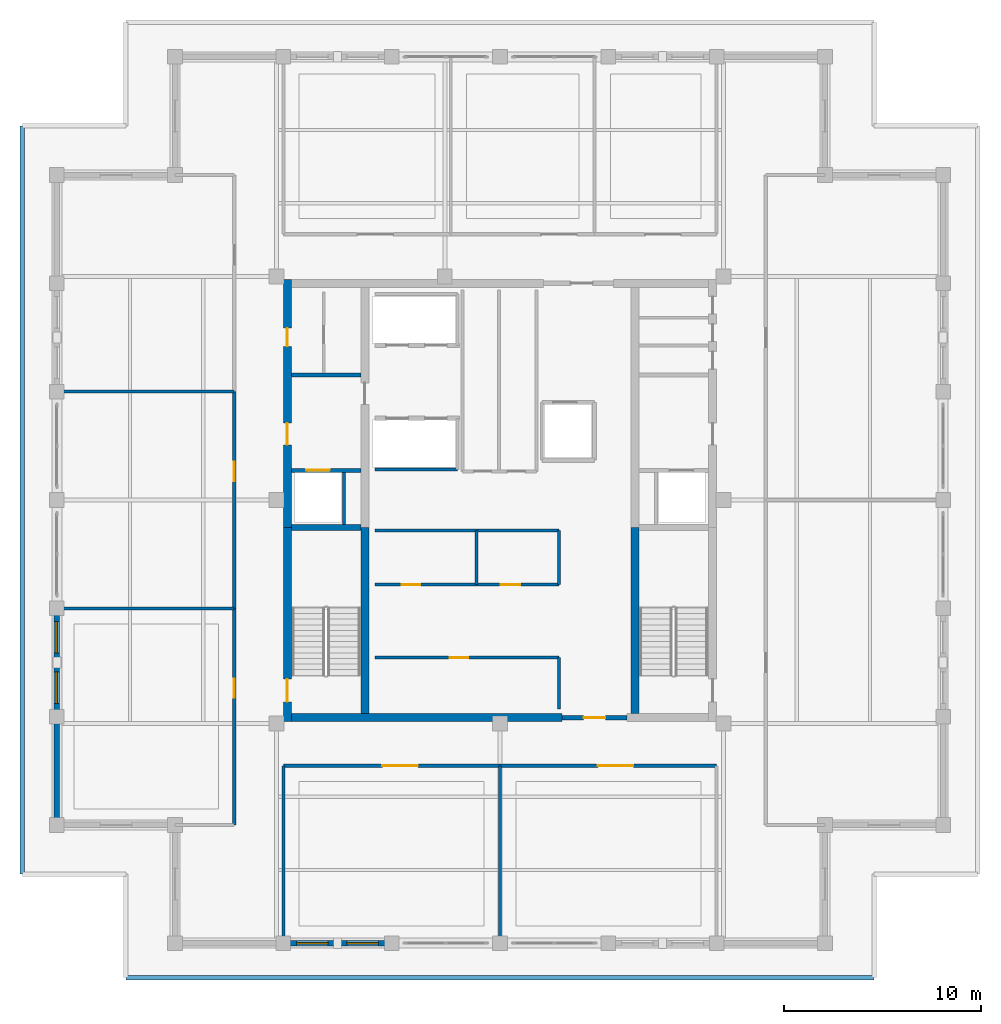
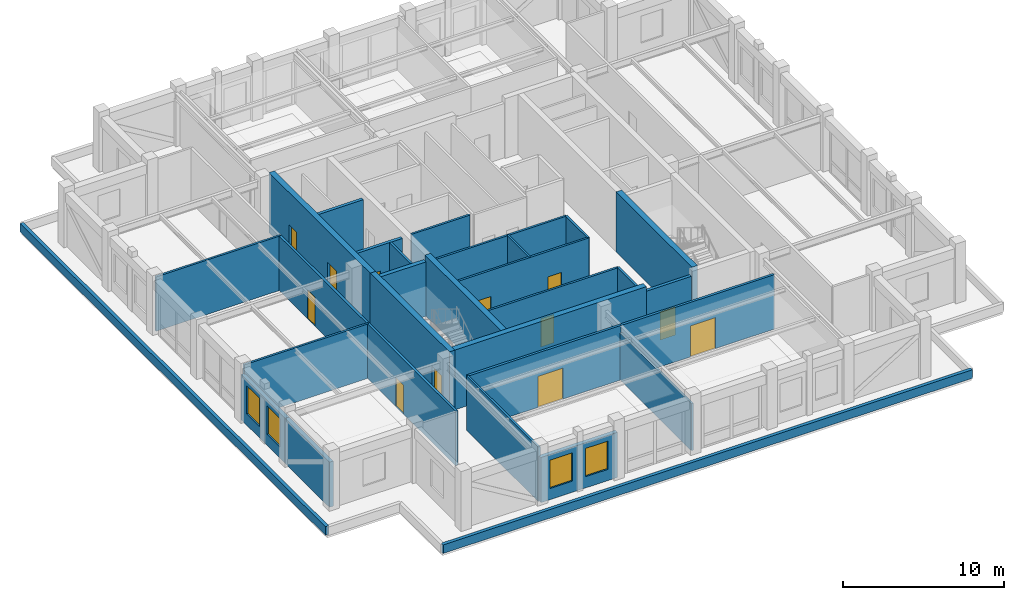
# One storey, part 7 of 13: 30 walls, 12 doors, 4 windows, 16 openings.
"""IFC4 building model written with IfcOpenShell, lengths in metres."""

from ifc_helpers import new_model, si_unit, direction, frame, frame_2d, origin, place, context, subcontext, project, spatial, rectangle, extrude, material, layer, layer_set, type_object, element, fill, save


model = new_model("IFC4")

# Units and contexts
model_context = context("Model", 3, precision=1e-05, world=origin(), true_north=direction((0.0, 1.0)))
body_context = subcontext(model_context, "Body", "Model", "MODEL_VIEW")
ifc_project = project(units=[si_unit("LENGTHUNIT", "METRE"), si_unit("AREAUNIT", "SQUARE_METRE"), si_unit("VOLUMEUNIT", "CUBIC_METRE"), si_unit("PLANEANGLEUNIT", "RADIAN"), si_unit("MASSUNIT", "GRAM", prefix="KILO")], contexts=[model_context])

# Site, building, storey
site_placement = place(None, origin())
site = spatial("IfcSite", under=ifc_project, at=site_placement, CompositionType="ELEMENT")
building_placement = place(site_placement, origin())
building = spatial("IfcBuilding", under=site, at=building_placement, Name="Nhamokura Convention Tower", CompositionType="ELEMENT")
storey_placement = place(building_placement, frame((0.0, 0.0, 257.60009765625)))
storey = spatial("IfcBuildingStorey", under=building, at=storey_placement, Name="L63", CompositionType="ELEMENT", Elevation=257.60009765625)

# Wall, openings, windows
ifc_material_1 = material(Name="Bronze-pigmented precast concrete C45/55", Category="concrete")
ifc_layer_1 = layer(ifc_material_1, 0.280029296875)
ifc_layer_set_1 = layer_set([ifc_layer_1], Name="BronzePrecastSpandrel_280")
wall_type_1 = type_object("IfcWallType", Name="BronzePrecastSpandrel_280", PredefinedType="USERDEFINED", material=ifc_layer_set_1)
wall_1_placement = place(storey_placement, frame((26.5, 9.5, 0.0), z_axis=(0.0, 0.0, 1.0), x_axis=(-1.0, 0.0, 0.0)))
wall_1 = element("IfcWall", 1, at=wall_1_placement, inside=storey, type_object=wall_type_1, Name="L63 Masonry-Frame Wall SOUTH 1", ObjectType="SPANDREL_WALL", PredefinedType="USERDEFINED", context=body_context, shape_type="SweptSolid", body=[
    extrude(rectangle(XDim=5.5, YDim=0.280029296875, at=frame_2d((2.75, 0.0))), origin(), (0.0, 0.0, 1.0), 3.429931640625),
])
opening_1_placement = place(wall_1_placement, frame((0.675048828125, 0.0, 0.85009765625)))
opening_1 = element("IfcOpeningElement", 2, at=opening_1_placement, cuts=wall_1, Name="Opening W-11", PredefinedType="OPENING", context=body_context, shape_type="SweptSolid", body=[
    extrude(rectangle(XDim=1.60009765625, YDim=2.14990234375, at=frame_2d((0.800048828125, 1.074951171875))), frame((0.0, 0.14990234375, 0.0), z_axis=(0.0, -1.0, 0.0), x_axis=(1.0, 0.0, 0.0)), (0.0, 0.0, 1.0), 0.300048828125),
])
opening_2_placement = place(wall_1_placement, frame((3.22509765625, 0.0, 0.85009765625)))
opening_2 = element("IfcOpeningElement", 3, at=opening_2_placement, cuts=wall_1, Name="Opening W-11", PredefinedType="OPENING", context=body_context, shape_type="SweptSolid", body=[
    extrude(rectangle(XDim=1.60009765625, YDim=2.14990234375, at=frame_2d((0.800048828125, 1.074951171875))), frame((0.0, 0.14990234375, 0.0), z_axis=(0.0, -1.0, 0.0), x_axis=(1.0, 0.0, 0.0)), (0.0, 0.0, 1.0), 0.300048828125),
])
ifc_material_2 = material(Name="Solar-control bronze low-E double glass", Category="glass")
window_type = type_object("IfcWindowType", Name="NotchCornerWindow_1600", PartitioningType="SINGLE_PANEL", PredefinedType="WINDOW", material=ifc_material_2)
window_1_placement = place(opening_1_placement, origin())
window_1 = element("IfcWindow", 4, at=window_1_placement, inside=storey, type_object=window_type, Name="L63 Facade Window SOUTH 1-1", OverallHeight=2.14990234375, OverallWidth=1.60009765625, PartitioningType="SINGLE_PANEL", PredefinedType="WINDOW", context=body_context, shape_type="SweptSolid", body=[
    extrude(rectangle(XDim=1.60009765625, YDim=2.14990234375, at=frame_2d((0.800048828125, 1.074951171875))), frame((0.0, 0.030029296875, 0.0), z_axis=(0.0, -1.0, 0.0), x_axis=(1.0, 0.0, 0.0)), (0.0, 0.0, 1.0), 0.06005859375),
])
fill(opening_1, window_1)
window_2_placement = place(opening_2_placement, origin())
window_2 = element("IfcWindow", 5, at=window_2_placement, inside=storey, type_object=window_type, Name="L63 Facade Window SOUTH 1-2", OverallHeight=2.14990234375, OverallWidth=1.60009765625, PartitioningType="SINGLE_PANEL", PredefinedType="WINDOW", context=body_context, shape_type="SweptSolid", body=[
    extrude(rectangle(XDim=1.60009765625, YDim=2.14990234375, at=frame_2d((0.800048828125, 1.074951171875))), frame((0.0, 0.030029296875, 0.0), z_axis=(0.0, -1.0, 0.0), x_axis=(1.0, 0.0, 0.0)), (0.0, 0.0, 1.0), 0.06005859375),
])
fill(opening_2, window_2)

# Wall
wall_2_placement = place(storey_placement, frame((9.5, 15.5, 0.0), z_axis=(0.0, 0.0, 1.0), x_axis=(0.0, 1.0, 0.0)))
element("IfcWall", 6, at=wall_2_placement, inside=storey, type_object=wall_type_1, Name="L63 Braced-Bay Precast Wall WEST 0", ObjectType="SPANDREL_WALL", PredefinedType="USERDEFINED", context=body_context, shape_type="SweptSolid", body=[
    extrude(rectangle(XDim=5.5, YDim=0.280029296875, at=frame_2d((2.75, 0.0))), origin(), (0.0, 0.0, 1.0), 3.429931640625),
])

# Wall, openings, windows
wall_3_placement = place(storey_placement, frame((9.5, 21.0, 0.0), z_axis=(0.0, 0.0, 1.0), x_axis=(0.0, 1.0, 0.0)))
wall_3 = element("IfcWall", 7, at=wall_3_placement, inside=storey, type_object=wall_type_1, Name="L63 Masonry-Frame Wall WEST 1", ObjectType="SPANDREL_WALL", PredefinedType="USERDEFINED", context=body_context, shape_type="SweptSolid", body=[
    extrude(rectangle(XDim=5.5, YDim=0.280029296875, at=frame_2d((2.75, 0.0))), origin(), (0.0, 0.0, 1.0), 3.429931640625),
])
opening_3_placement = place(wall_3_placement, frame((0.675048828125, 0.0, 0.85009765625)))
opening_3 = element("IfcOpeningElement", 8, at=opening_3_placement, cuts=wall_3, Name="Opening W-11", PredefinedType="OPENING", context=body_context, shape_type="SweptSolid", body=[
    extrude(rectangle(XDim=1.60009765625, YDim=2.14990234375, at=frame_2d((0.800048828125, 1.074951171875))), frame((0.0, 0.14990234375, 0.0), z_axis=(0.0, -1.0, 0.0), x_axis=(1.0, 0.0, 0.0)), (0.0, 0.0, 1.0), 0.300048828125),
])
opening_4_placement = place(wall_3_placement, frame((3.22509765625, 0.0, 0.85009765625)))
opening_4 = element("IfcOpeningElement", 9, at=opening_4_placement, cuts=wall_3, Name="Opening W-11", PredefinedType="OPENING", context=body_context, shape_type="SweptSolid", body=[
    extrude(rectangle(XDim=1.60009765625, YDim=2.14990234375, at=frame_2d((0.800048828125, 1.074951171875))), frame((0.0, 0.14990234375, 0.0), z_axis=(0.0, -1.0, 0.0), x_axis=(1.0, 0.0, 0.0)), (0.0, 0.0, 1.0), 0.300048828125),
])
window_3_placement = place(opening_3_placement, origin())
window_3 = element("IfcWindow", 10, at=window_3_placement, inside=storey, type_object=window_type, Name="L63 Facade Window WEST 1-1", OverallHeight=2.14990234375, OverallWidth=1.60009765625, PartitioningType="SINGLE_PANEL", PredefinedType="WINDOW", context=body_context, shape_type="SweptSolid", body=[
    extrude(rectangle(XDim=1.60009765625, YDim=2.14990234375, at=frame_2d((0.800048828125, 1.074951171875))), frame((0.0, 0.030029296875, 0.0), z_axis=(0.0, -1.0, 0.0), x_axis=(1.0, 0.0, 0.0)), (0.0, 0.0, 1.0), 0.06005859375),
])
fill(opening_3, window_3)
window_4_placement = place(opening_4_placement, origin())
window_4 = element("IfcWindow", 11, at=window_4_placement, inside=storey, type_object=window_type, Name="L63 Facade Window WEST 1-2", OverallHeight=2.14990234375, OverallWidth=1.60009765625, PartitioningType="SINGLE_PANEL", PredefinedType="WINDOW", context=body_context, shape_type="SweptSolid", body=[
    extrude(rectangle(XDim=1.60009765625, YDim=2.14990234375, at=frame_2d((0.800048828125, 1.074951171875))), frame((0.0, 0.030029296875, 0.0), z_axis=(0.0, -1.0, 0.0), x_axis=(1.0, 0.0, 0.0)), (0.0, 0.0, 1.0), 0.06005859375),
])
fill(opening_4, window_4)

# Wall, opening, door
ifc_material_3 = material(Name="Concrete C50/60", Category="concrete")
ifc_layer_2 = layer(ifc_material_3, 0.39990234375)
ifc_layer_set_2 = layer_set([ifc_layer_2], Name="CoreShearWall_400")
wall_type_2 = type_object("IfcWallType", Name="CoreShearWall_400", PredefinedType="SHEAR", material=ifc_layer_set_2)
wall_4_placement = place(storey_placement, frame((21.2099609375, 20.75, 0.0), z_axis=(0.0, 0.0, 1.0), x_axis=(0.0, 1.0, 0.0)))
wall_4 = element("IfcWall", 12, at=wall_4_placement, inside=storey, type_object=wall_type_2, Name="L63 Core Shear Wall CW-WS", PredefinedType="SHEAR", context=body_context, shape_type="SweptSolid", body=[
    extrude(rectangle(XDim=9.85009765625, YDim=0.39990234375, at=frame_2d((4.925048828125, 0.0))), origin(), (0.0, 0.0, 1.0), 4.5498046875),
])
opening_5_placement = place(wall_4_placement, frame((1.0, 0.0, 0.0)))
opening_5 = element("IfcOpeningElement", 13, at=opening_5_placement, cuts=wall_4, Name="Opening D-04", PredefinedType="OPENING", context=body_context, shape_type="SweptSolid", body=[
    extrude(rectangle(XDim=1.14990234375, YDim=2.14990234375, at=frame_2d((0.574951171875, 1.074951171875))), frame((0.0, 0.2099609375, 0.0), z_axis=(0.0, -1.0, 0.0), x_axis=(1.0, 0.0, 0.0)), (0.0, 0.0, 1.0), 0.419921875),
])
ifc_material_4 = material(Name="Fire-rated steel door", Category="steel")
door_type_1 = type_object("IfcDoorType", Name="StairSmokeDoor_1150", OperationType="NOTDEFINED", PredefinedType="DOOR", material=ifc_material_4)
door_1_placement = place(opening_5_placement, origin())
door_1 = element("IfcDoor", 14, at=door_1_placement, inside=storey, type_object=door_type_1, Name="L63 Core Door INT-L63-D-ST01", OperationType="SINGLE_SWING_LEFT", OverallHeight=2.14990234375, OverallWidth=1.14990234375, PredefinedType="DOOR", context=body_context, shape_type="SweptSolid", body=[
    extrude(rectangle(XDim=1.14990234375, YDim=2.14990234375, at=frame_2d((0.574951171875, 1.074951171875))), frame((0.0, 0.02490234375, 0.0), z_axis=(0.0, -1.0, 0.0), x_axis=(1.0, 0.0, 0.0)), (0.0, 0.0, 1.0), 0.050048828125),
])
fill(opening_5, door_1)

# Wall, openings, doors
wall_5_placement = place(storey_placement, frame((21.2099609375, 30.60009765625, 0.0), z_axis=(0.0, 0.0, 1.0), x_axis=(0.0, 1.0, 0.0)))
wall_5 = element("IfcWall", 15, at=wall_5_placement, inside=storey, type_object=wall_type_2, Name="L63 Core Shear Wall CW-WN", PredefinedType="SHEAR", context=body_context, shape_type="SweptSolid", body=[
    extrude(rectangle(XDim=12.599853515625, YDim=0.39990234375, at=frame_2d((6.2998046875, 0.0))), origin(), (0.0, 0.0, 1.0), 4.5498046875),
])
opening_6_placement = place(wall_5_placement, frame((4.199951171875, 0.0, 0.0)))
opening_6 = element("IfcOpeningElement", 16, at=opening_6_placement, cuts=wall_5, Name="Opening D-05", PredefinedType="OPENING", context=body_context, shape_type="SweptSolid", body=[
    extrude(rectangle(XDim=1.10009765625, YDim=2.14990234375, at=frame_2d((0.550048828125, 1.074951171875))), frame((0.0, 0.2099609375, 0.0), z_axis=(0.0, -1.0, 0.0), x_axis=(1.0, 0.0, 0.0)), (0.0, 0.0, 1.0), 0.419921875),
])
opening_7_placement = place(wall_5_placement, frame((9.199951171875, 0.0, 0.0)))
opening_7 = element("IfcOpeningElement", 17, at=opening_7_placement, cuts=wall_5, Name="Opening D-10", PredefinedType="OPENING", context=body_context, shape_type="SweptSolid", body=[
    extrude(rectangle(XDim=0.919921875, YDim=2.10009765625, at=frame_2d((0.4599609375, 1.050048828125))), frame((0.0, 0.2099609375, 0.0), z_axis=(0.0, -1.0, 0.0), x_axis=(1.0, 0.0, 0.0)), (0.0, 0.0, 1.0), 0.419921875),
])
ifc_material_5 = material(Name="Solid oak hardwood", Category="wood")
door_type_2 = type_object("IfcDoorType", Name="AccessibleWCDoor_920", OperationType="NOTDEFINED", PredefinedType="DOOR", material=ifc_material_5)
door_2_placement = place(opening_7_placement, origin())
door_2 = element("IfcDoor", 18, at=door_2_placement, inside=storey, type_object=door_type_2, Name="L63 Core Door INT-L63-D-AWCW", OperationType="SINGLE_SWING_RIGHT", OverallHeight=2.10009765625, OverallWidth=0.919921875, PredefinedType="DOOR", context=body_context, shape_type="SweptSolid", body=[
    extrude(rectangle(XDim=0.919921875, YDim=2.10009765625, at=frame_2d((0.4599609375, 1.050048828125))), frame((0.0, 0.02490234375, 0.0), z_axis=(0.0, -1.0, 0.0), x_axis=(1.0, 0.0, 0.0)), (0.0, 0.0, 1.0), 0.050048828125),
])
fill(opening_7, door_2)
ifc_material_6 = material(Name="Fire-rated steel door", Category="steel")
door_type_3 = type_object("IfcDoorType", Name="FireLobbyDoor_1100", OperationType="NOTDEFINED", PredefinedType="DOOR", material=ifc_material_6)
door_3_placement = place(opening_6_placement, origin())
door_3 = element("IfcDoor", 19, at=door_3_placement, inside=storey, type_object=door_type_3, Name="L63 Core Door INT-L63-D-FFLW", OperationType="SINGLE_SWING_RIGHT", OverallHeight=2.14990234375, OverallWidth=1.10009765625, PredefinedType="DOOR", context=body_context, shape_type="SweptSolid", body=[
    extrude(rectangle(XDim=1.10009765625, YDim=2.14990234375, at=frame_2d((0.550048828125, 1.074951171875))), frame((0.0, 0.02490234375, 0.0), z_axis=(0.0, -1.0, 0.0), x_axis=(1.0, 0.0, 0.0)), (0.0, 0.0, 1.0), 0.050048828125),
])
fill(opening_6, door_3)

# Walls
wall_6_placement = place(storey_placement, frame((21.409912109375, 20.949951171875, 0.0), z_axis=(0.0, 0.0, 1.0), x_axis=(1.0, 0.0, 0.0)))
element("IfcWall", 20, at=wall_6_placement, inside=storey, type_object=wall_type_2, Name="L63 Core Shear Wall CW-S1", PredefinedType="SHEAR", context=body_context, shape_type="SweptSolid", body=[
    extrude(rectangle(XDim=13.739990234375, YDim=0.39990234375, at=frame_2d((6.8701171875, 0.0))), origin(), (0.0, 0.0, 1.0), 4.5498046875),
])
for number, where, z_axis, x_axis, name in (
    (21, (25.139892578125, 21.14990234375, 0.0), (0.0, 0.0, 1.0), (0.0, 1.0, 0.0), "L63 Core Shear Wall CW-IWS"),
    (22, (38.860107421875, 21.14990234375, 0.0), (0.0, 0.0, 1.0), (0.0, 1.0, 0.0), "L63 Core Shear Wall CW-IES"),
):
    element("IfcWall", number, at=place(storey_placement, frame(where, z_axis=z_axis, x_axis=x_axis)), inside=storey, type_object=wall_type_2, Name=name, PredefinedType="SHEAR", context=body_context, shape_type="SweptSolid", body=[
        extrude(rectangle(XDim=9.4501953125, YDim=0.39990234375, at=frame_2d((4.72509765625, 0.0))), origin(), (0.0, 0.0, 1.0), 4.5498046875),
    ])

# Wall, opening, door
ifc_material_7 = material(Name="Fire-rated gypsum and masonry partition", Category="masonry")
ifc_layer_3 = layer(ifc_material_7, 0.179931640625)
ifc_layer_set_3 = layer_set([ifc_layer_3], Name="CorridorRatedWall_180")
wall_type_3 = type_object("IfcWallType", Name="CorridorRatedWall_180", PredefinedType="STANDARD", material=ifc_layer_set_3)
wall_7_placement = place(storey_placement, frame((21.0, 18.5, 0.0), z_axis=(0.0, 0.0, 1.0), x_axis=(1.0, 0.0, 0.0)))
wall_7 = element("IfcWall", 23, at=wall_7_placement, inside=storey, type_object=wall_type_3, Name="L63 Wall INT-L63-CW-S00", PredefinedType="STANDARD", context=body_context, shape_type="SweptSolid", body=[
    extrude(rectangle(XDim=11.0, YDim=0.179931640625, at=frame_2d((5.5, 0.0))), origin(), (0.0, 0.0, 1.0), 4.1298828125),
])
opening_8_placement = place(wall_7_placement, frame((5.02490234375, 0.0, 0.0)))
opening_8 = element("IfcOpeningElement", 24, at=opening_8_placement, cuts=wall_7, Name="Opening D-03", PredefinedType="OPENING", context=body_context, shape_type="SweptSolid", body=[
    extrude(rectangle(XDim=1.800048828125, YDim=2.35009765625, at=frame_2d((0.89990234375, 1.175048828125))), frame((0.0, 0.099853515625, 0.0), z_axis=(0.0, -1.0, 0.0), x_axis=(1.0, 0.0, 0.0)), (0.0, 0.0, 1.0), 0.199951171875),
])
ifc_material_8 = material(Name="Solid oak hardwood", Category="wood")
door_type_4 = type_object("IfcDoorType", Name="BallroomDoubleDoor_1800", OperationType="DOUBLE_DOOR_SINGLE_SWING", PredefinedType="DOOR", material=ifc_material_8)
door_4_placement = place(opening_8_placement, origin())
door_4 = element("IfcDoor", 25, at=door_4_placement, inside=storey, type_object=door_type_4, Name="L63 Sky Lobby Lounge S01 Door", OperationType="SINGLE_SWING_LEFT", OverallHeight=2.35009765625, OverallWidth=1.800048828125, PredefinedType="DOOR", context=body_context, shape_type="SweptSolid", body=[
    extrude(rectangle(XDim=1.800048828125, YDim=2.35009765625, at=frame_2d((0.89990234375, 1.175048828125))), frame((0.0, 0.02490234375, 0.0), z_axis=(0.0, -1.0, 0.0), x_axis=(1.0, 0.0, 0.0)), (0.0, 0.0, 1.0), 0.050048828125),
])
fill(opening_8, door_4)

wall_8_placement = place(storey_placement, frame((32.0, 18.5, 0.0), z_axis=(0.0, 0.0, 1.0), x_axis=(1.0, 0.0, 0.0)))
wall_8 = element("IfcWall", 26, at=wall_8_placement, inside=storey, type_object=wall_type_3, Name="L63 Wall INT-L63-CW-S01", PredefinedType="STANDARD", context=body_context, shape_type="SweptSolid", body=[
    extrude(rectangle(XDim=11.0, YDim=0.179931640625, at=frame_2d((5.5, 0.0))), origin(), (0.0, 0.0, 1.0), 4.1298828125),
])
opening_9_placement = place(wall_8_placement, frame((4.97509765625, 0.0, 0.0)))
opening_9 = element("IfcOpeningElement", 27, at=opening_9_placement, cuts=wall_8, Name="Opening D-03", PredefinedType="OPENING", context=body_context, shape_type="SweptSolid", body=[
    extrude(rectangle(XDim=1.800048828125, YDim=2.35009765625, at=frame_2d((0.89990234375, 1.175048828125))), frame((0.0, 0.099853515625, 0.0), z_axis=(0.0, -1.0, 0.0), x_axis=(1.0, 0.0, 0.0)), (0.0, 0.0, 1.0), 0.199951171875),
])
door_5_placement = place(opening_9_placement, origin())
door_5 = element("IfcDoor", 28, at=door_5_placement, inside=storey, type_object=door_type_4, Name="L63 Concierge Office S02 Door", OperationType="SINGLE_SWING_RIGHT", OverallHeight=2.35009765625, OverallWidth=1.800048828125, PredefinedType="DOOR", context=body_context, shape_type="SweptSolid", body=[
    extrude(rectangle(XDim=1.800048828125, YDim=2.35009765625, at=frame_2d((0.89990234375, 1.175048828125))), frame((0.0, 0.02490234375, 0.0), z_axis=(0.0, -1.0, 0.0), x_axis=(1.0, 0.0, 0.0)), (0.0, 0.0, 1.0), 0.050048828125),
])
fill(opening_9, door_5)

wall_9_placement = place(storey_placement, frame((18.5, 15.5, 0.0), z_axis=(0.0, 0.0, 1.0), x_axis=(0.0, 1.0, 0.0)))
wall_9 = element("IfcWall", 29, at=wall_9_placement, inside=storey, type_object=wall_type_3, Name="L63 Wall INT-L63-CW-W00", PredefinedType="STANDARD", context=body_context, shape_type="SweptSolid", body=[
    extrude(rectangle(XDim=11.0, YDim=0.179931640625, at=frame_2d((5.5, 0.0))), origin(), (0.0, 0.0, 1.0), 4.1298828125),
])
opening_10_placement = place(wall_9_placement, frame((6.449951171875, 0.0, 0.0)))
opening_10 = element("IfcOpeningElement", 30, at=opening_10_placement, cuts=wall_9, Name="Opening D-08", PredefinedType="OPENING", context=body_context, shape_type="SweptSolid", body=[
    extrude(rectangle(XDim=0.97998046875, YDim=2.199951171875, at=frame_2d((0.489990234375, 1.10009765625))), frame((0.0, 0.099853515625, 0.0), z_axis=(0.0, -1.0, 0.0), x_axis=(1.0, 0.0, 0.0)), (0.0, 0.0, 1.0), 0.199951171875),
])
ifc_material_9 = material(Name="Solid oak hardwood", Category="wood")
door_type_5 = type_object("IfcDoorType", Name="OfficeEntryDoor_980", OperationType="NOTDEFINED", PredefinedType="DOOR", material=ifc_material_9)
door_6_placement = place(opening_10_placement, origin())
door_6 = element("IfcDoor", 31, at=door_6_placement, inside=storey, type_object=door_type_5, Name="L63 Private Office W01 Door", OperationType="SINGLE_SWING_LEFT", OverallHeight=2.199951171875, OverallWidth=0.97998046875, PredefinedType="DOOR", context=body_context, shape_type="SweptSolid", body=[
    extrude(rectangle(XDim=0.97998046875, YDim=2.199951171875, at=frame_2d((0.489990234375, 1.10009765625))), frame((0.0, 0.02490234375, 0.0), z_axis=(0.0, -1.0, 0.0), x_axis=(1.0, 0.0, 0.0)), (0.0, 0.0, 1.0), 0.050048828125),
])
fill(opening_10, door_6)

wall_10_placement = place(storey_placement, frame((18.5, 26.5, 0.0), z_axis=(0.0, 0.0, 1.0), x_axis=(0.0, 1.0, 0.0)))
wall_10 = element("IfcWall", 32, at=wall_10_placement, inside=storey, type_object=wall_type_3, Name="L63 Wall INT-L63-CW-W01", PredefinedType="STANDARD", context=body_context, shape_type="SweptSolid", body=[
    extrude(rectangle(XDim=11.0, YDim=0.179931640625, at=frame_2d((5.5, 0.0))), origin(), (0.0, 0.0, 1.0), 4.1298828125),
])
opening_11_placement = place(wall_10_placement, frame((6.449951171875, 0.0, 0.0)))
opening_11 = element("IfcOpeningElement", 33, at=opening_11_placement, cuts=wall_10, Name="Opening D-08", PredefinedType="OPENING", context=body_context, shape_type="SweptSolid", body=[
    extrude(rectangle(XDim=0.97998046875, YDim=2.199951171875, at=frame_2d((0.489990234375, 1.10009765625))), frame((0.0, 0.099853515625, 0.0), z_axis=(0.0, -1.0, 0.0), x_axis=(1.0, 0.0, 0.0)), (0.0, 0.0, 1.0), 0.199951171875),
])
door_7_placement = place(opening_11_placement, origin())
door_7 = element("IfcDoor", 34, at=door_7_placement, inside=storey, type_object=door_type_5, Name="L63 Private Office W02 Door", OperationType="SINGLE_SWING_RIGHT", OverallHeight=2.199951171875, OverallWidth=0.97998046875, PredefinedType="DOOR", context=body_context, shape_type="SweptSolid", body=[
    extrude(rectangle(XDim=0.97998046875, YDim=2.199951171875, at=frame_2d((0.489990234375, 1.10009765625))), frame((0.0, 0.02490234375, 0.0), z_axis=(0.0, -1.0, 0.0), x_axis=(1.0, 0.0, 0.0)), (0.0, 0.0, 1.0), 0.050048828125),
])
fill(opening_11, door_7)

ifc_material_10 = material(Name="Autoclaved concrete blockwork", Category="masonry")
ifc_layer_4 = layer(ifc_material_10, 0.219970703125)
ifc_layer_set_4 = layer_set([ifc_layer_4], Name="FireLobbyWall_220")
wall_type_4 = type_object("IfcWallType", Name="FireLobbyWall_220", PredefinedType="STANDARD", material=ifc_layer_set_4)
wall_11_placement = place(storey_placement, frame((21.409912109375, 33.5, 0.0), z_axis=(0.0, 0.0, 1.0), x_axis=(1.0, 0.0, 0.0)))
wall_11 = element("IfcWall", 35, at=wall_11_placement, inside=storey, type_object=wall_type_4, Name="L63 Wall INT-L63-FFW-S", PredefinedType="STANDARD", context=body_context, shape_type="SweptSolid", body=[
    extrude(rectangle(XDim=3.530029296875, YDim=0.219970703125, at=frame_2d((1.76513671875, 0.0))), origin(), (0.0, 0.0, 1.0), 4.1298828125),
])
opening_12_placement = place(wall_11_placement, frame((0.75, 0.0, 0.0)))
opening_12 = element("IfcOpeningElement", 36, at=opening_12_placement, cuts=wall_11, Name="Opening LD-02", PredefinedType="OPENING", context=body_context, shape_type="SweptSolid", body=[
    extrude(rectangle(XDim=1.199951171875, YDim=2.199951171875, at=frame_2d((0.60009765625, 1.10009765625))), frame((0.0, 0.119873046875, 0.0), z_axis=(0.0, -1.0, 0.0), x_axis=(1.0, 0.0, 0.0)), (0.0, 0.0, 1.0), 0.239990234375),
])
ifc_material_11 = material(Name="Anodised bronze stainless steel", Category="steel")
door_type_6 = type_object("IfcDoorType", Name="LiftLandingDoor_FireService", OperationType="DOUBLE_DOOR_SLIDING", PredefinedType="DOOR", material=ifc_material_11)
door_8_placement = place(opening_12_placement, origin())
door_8 = element("IfcDoor", 37, at=door_8_placement, inside=storey, type_object=door_type_6, Name="L63 Firefighting Lift LF-01 Door", OperationType="DOUBLE_DOOR_SLIDING", OverallHeight=2.199951171875, OverallWidth=1.199951171875, PredefinedType="DOOR", context=body_context, shape_type="SweptSolid", body=[
    extrude(rectangle(XDim=1.199951171875, YDim=2.199951171875, at=frame_2d((0.60009765625, 1.10009765625))), frame((0.0, 0.02490234375, 0.0), z_axis=(0.0, -1.0, 0.0), x_axis=(1.0, 0.0, 0.0)), (0.0, 0.0, 1.0), 0.050048828125),
])
fill(opening_12, door_8)

# Wall
wall_12_placement = place(storey_placement, frame((21.409912109375, 38.35009765625, 0.0), z_axis=(0.0, 0.0, 1.0), x_axis=(1.0, 0.0, 0.0)))
element("IfcWall", 38, at=wall_12_placement, inside=storey, type_object=wall_type_4, Name="L63 Wall INT-L63-FFW-N", PredefinedType="STANDARD", context=body_context, shape_type="SweptSolid", body=[
    extrude(rectangle(XDim=3.530029296875, YDim=0.219970703125, at=frame_2d((1.76513671875, 0.0))), origin(), (0.0, 0.0, 1.0), 4.1298828125),
])

# Wall, opening, door
wall_13_placement = place(storey_placement, frame((35.14990234375, 20.949951171875, 0.0), z_axis=(0.0, 0.0, 1.0), x_axis=(1.0, 0.0, 0.0)))
wall_13 = element("IfcWall", 39, at=wall_13_placement, inside=storey, type_object=wall_type_4, Name="L63 Wall INT-L63-SPORT-S", PredefinedType="STANDARD", context=body_context, shape_type="SweptSolid", body=[
    extrude(rectangle(XDim=3.300048828125, YDim=0.219970703125, at=frame_2d((1.64990234375, 0.0))), origin(), (0.0, 0.0, 1.0), 4.1298828125),
])
opening_13_placement = place(wall_13_placement, frame((1.10009765625, 0.0, 0.0)))
opening_13 = element("IfcOpeningElement", 40, at=opening_13_placement, cuts=wall_13, Name="Opening D-05", PredefinedType="OPENING", context=body_context, shape_type="SweptSolid", body=[
    extrude(rectangle(XDim=1.10009765625, YDim=2.14990234375, at=frame_2d((0.550048828125, 1.074951171875))), frame((0.0, 0.119873046875, 0.0), z_axis=(0.0, -1.0, 0.0), x_axis=(1.0, 0.0, 0.0)), (0.0, 0.0, 1.0), 0.239990234375),
])
door_9_placement = place(opening_13_placement, origin())
door_9 = element("IfcDoor", 41, at=door_9_placement, inside=storey, type_object=door_type_3, Name="L63 South Core Lobby Portal Door", OperationType="SINGLE_SWING_LEFT", OverallHeight=2.14990234375, OverallWidth=1.10009765625, PredefinedType="DOOR", context=body_context, shape_type="SweptSolid", body=[
    extrude(rectangle(XDim=1.10009765625, YDim=2.14990234375, at=frame_2d((0.550048828125, 1.074951171875))), frame((0.0, 0.02490234375, 0.0), z_axis=(0.0, -1.0, 0.0), x_axis=(1.0, 0.0, 0.0)), (0.0, 0.0, 1.0), 0.050048828125),
])
fill(opening_13, door_9)

# Wall
ifc_material_12 = material(Name="Acoustic gypsum stud partition", Category="masonry")
ifc_layer_5 = layer(ifc_material_12, 0.14990234375)
ifc_layer_set_5 = layer_set([ifc_layer_5], Name="InteriorPartition_150")
wall_type_5 = type_object("IfcWallType", Name="InteriorPartition_150", PredefinedType="STANDARD", material=ifc_layer_set_5)
wall_14_placement = place(storey_placement, frame((24.080078125, 30.75, 0.0), z_axis=(0.0, 0.0, 1.0), x_axis=(0.0, 1.0, 0.0)))
element("IfcWall", 42, at=wall_14_placement, inside=storey, type_object=wall_type_5, Name="L63 Wall INT-L63-FF1-E", PredefinedType="STANDARD", context=body_context, shape_type="SweptSolid", body=[
    extrude(rectangle(XDim=2.64990234375, YDim=0.14990234375, at=frame_2d((1.324951171875, 0.0))), origin(), (0.0, 0.0, 1.0), 4.1298828125),
])

# Wall, opening, door
wall_15_placement = place(storey_placement, frame((25.64990234375, 24.0, 0.0), z_axis=(0.0, 0.0, 1.0), x_axis=(1.0, 0.0, 0.0)))
wall_15 = element("IfcWall", 43, at=wall_15_placement, inside=storey, type_object=wall_type_5, Name="L63 Wall INT-L63-B1R-N", PredefinedType="STANDARD", context=body_context, shape_type="SweptSolid", body=[
    extrude(rectangle(XDim=9.35009765625, YDim=0.14990234375, at=frame_2d((4.675048828125, 0.0))), origin(), (0.0, 0.0, 1.0), 4.1298828125),
])
opening_14_placement = place(wall_15_placement, frame((3.800048828125, 0.0, 0.0)))
opening_14 = element("IfcOpeningElement", 44, at=opening_14_placement, cuts=wall_15, Name="Opening D-09", PredefinedType="OPENING", context=body_context, shape_type="SweptSolid", body=[
    extrude(rectangle(XDim=0.949951171875, YDim=2.14990234375, at=frame_2d((0.47509765625, 1.074951171875))), frame((0.0, 0.0849609375, 0.0), z_axis=(0.0, -1.0, 0.0), x_axis=(1.0, 0.0, 0.0)), (0.0, 0.0, 1.0), 0.169921875),
])
ifc_material_13 = material(Name="Solid oak hardwood", Category="wood")
door_type_7 = type_object("IfcDoorType", Name="MeetingRoomDoor_950", OperationType="NOTDEFINED", PredefinedType="DOOR", material=ifc_material_13)
door_10_placement = place(opening_14_placement, origin())
door_10 = element("IfcDoor", 45, at=door_10_placement, inside=storey, type_object=door_type_7, Name="L63 Reclaimed Briefing Room Door", OperationType="SINGLE_SWING_RIGHT", OverallHeight=2.14990234375, OverallWidth=0.949951171875, PredefinedType="DOOR", context=body_context, shape_type="SweptSolid", body=[
    extrude(rectangle(XDim=0.949951171875, YDim=2.14990234375, at=frame_2d((0.47509765625, 1.074951171875))), frame((0.0, 0.02490234375, 0.0), z_axis=(0.0, -1.0, 0.0), x_axis=(1.0, 0.0, 0.0)), (0.0, 0.0, 1.0), 0.050048828125),
])
fill(opening_14, door_10)

# Wall
wall_16_placement = place(storey_placement, frame((35.0, 21.39990234375, 0.0), z_axis=(0.0, 0.0, 1.0), x_axis=(0.0, 1.0, 0.0)))
element("IfcWall", 46, at=wall_16_placement, inside=storey, type_object=wall_type_5, Name="L63 Wall INT-L63-B1R-E", PredefinedType="STANDARD", context=body_context, shape_type="SweptSolid", body=[
    extrude(rectangle(XDim=2.60009765625, YDim=0.14990234375, at=frame_2d((1.300048828125, 0.0))), origin(), (0.0, 0.0, 1.0), 4.1298828125),
])

# Wall, openings, doors
wall_17_placement = place(storey_placement, frame((25.64990234375, 27.699951171875, 0.0), z_axis=(0.0, 0.0, 1.0), x_axis=(1.0, 0.0, 0.0)))
wall_17 = element("IfcWall", 47, at=wall_17_placement, inside=storey, type_object=wall_type_5, Name="L63 Wall INT-L63-B2R-S", PredefinedType="STANDARD", context=body_context, shape_type="SweptSolid", body=[
    extrude(rectangle(XDim=9.35009765625, YDim=0.14990234375, at=frame_2d((4.675048828125, 0.0))), origin(), (0.0, 0.0, 1.0), 4.1298828125),
])
opening_15_placement = place(wall_17_placement, frame((1.35009765625, 0.0, 0.0)))
opening_15 = element("IfcOpeningElement", 48, at=opening_15_placement, cuts=wall_17, Name="Opening D-09", PredefinedType="OPENING", context=body_context, shape_type="SweptSolid", body=[
    extrude(rectangle(XDim=0.949951171875, YDim=2.14990234375, at=frame_2d((0.47509765625, 1.074951171875))), frame((0.0, 0.0849609375, 0.0), z_axis=(0.0, -1.0, 0.0), x_axis=(1.0, 0.0, 0.0)), (0.0, 0.0, 1.0), 0.169921875),
])
opening_16_placement = place(wall_17_placement, frame((6.39990234375, 0.0, 0.0)))
opening_16 = element("IfcOpeningElement", 49, at=opening_16_placement, cuts=wall_17, Name="Opening D-08", PredefinedType="OPENING", context=body_context, shape_type="SweptSolid", body=[
    extrude(rectangle(XDim=0.97998046875, YDim=2.199951171875, at=frame_2d((0.489990234375, 1.10009765625))), frame((0.0, 0.0849609375, 0.0), z_axis=(0.0, -1.0, 0.0), x_axis=(1.0, 0.0, 0.0)), (0.0, 0.0, 1.0), 0.169921875),
])
door_11_placement = place(opening_15_placement, origin())
door_11 = element("IfcDoor", 50, at=door_11_placement, inside=storey, type_object=door_type_7, Name="L63 Caucus Suite Door", OperationType="SINGLE_SWING_RIGHT", OverallHeight=2.14990234375, OverallWidth=0.949951171875, PredefinedType="DOOR", context=body_context, shape_type="SweptSolid", body=[
    extrude(rectangle(XDim=0.949951171875, YDim=2.14990234375, at=frame_2d((0.47509765625, 1.074951171875))), frame((0.0, 0.02490234375, 0.0), z_axis=(0.0, -1.0, 0.0), x_axis=(1.0, 0.0, 0.0)), (0.0, 0.0, 1.0), 0.050048828125),
])
fill(opening_15, door_11)
door_12_placement = place(opening_16_placement, origin())
door_12 = element("IfcDoor", 51, at=door_12_placement, inside=storey, type_object=door_type_5, Name="L63 Summit Pantry Door", OperationType="SINGLE_SWING_LEFT", OverallHeight=2.199951171875, OverallWidth=0.97998046875, PredefinedType="DOOR", context=body_context, shape_type="SweptSolid", body=[
    extrude(rectangle(XDim=0.97998046875, YDim=2.199951171875, at=frame_2d((0.489990234375, 1.10009765625))), frame((0.0, 0.02490234375, 0.0), z_axis=(0.0, -1.0, 0.0), x_axis=(1.0, 0.0, 0.0)), (0.0, 0.0, 1.0), 0.050048828125),
])
fill(opening_16, door_12)

# Walls
wall_18_placement = place(storey_placement, frame((25.64990234375, 30.449951171875, 0.0), z_axis=(0.0, 0.0, 1.0), x_axis=(1.0, 0.0, 0.0)))
element("IfcWall", 52, at=wall_18_placement, inside=storey, type_object=wall_type_5, Name="L63 Wall INT-L63-B2R-N", PredefinedType="STANDARD", context=body_context, shape_type="SweptSolid", body=[
    extrude(rectangle(XDim=9.35009765625, YDim=0.14990234375, at=frame_2d((4.675048828125, 0.0))), origin(), (0.0, 0.0, 1.0), 4.1298828125),
])
for number, where, z_axis, x_axis, name in (
    (53, (30.800048828125, 27.699951171875, 0.0), (0.0, 0.0, 1.0), (0.0, 1.0, 0.0), "L63 Wall INT-L63-B2R-M"),
    (54, (35.0, 27.699951171875, 0.0), (0.0, 0.0, 1.0), (0.0, 1.0, 0.0), "L63 Wall INT-L63-B2R-E"),
):
    element("IfcWall", number, at=place(storey_placement, frame(where, z_axis=z_axis, x_axis=x_axis)), inside=storey, type_object=wall_type_5, Name=name, PredefinedType="STANDARD", context=body_context, shape_type="SweptSolid", body=[
        extrude(rectangle(XDim=2.75, YDim=0.14990234375, at=frame_2d((1.375, 0.0))), origin(), (0.0, 0.0, 1.0), 4.1298828125),
    ])
wall_19_placement = place(storey_placement, frame((25.64990234375, 33.550048828125, 0.0), z_axis=(0.0, 0.0, 1.0), x_axis=(1.0, 0.0, 0.0)))
element("IfcWall", 55, at=wall_19_placement, inside=storey, type_object=wall_type_5, Name="L63 Wall INT-L63-B3A-S", PredefinedType="STANDARD", context=body_context, shape_type="SweptSolid", body=[
    extrude(rectangle(XDim=4.2001953125, YDim=0.14990234375, at=frame_2d((2.10009765625, 0.0))), origin(), (0.0, 0.0, 1.0), 4.1298828125),
])
wall_20_placement = place(storey_placement, frame((21.0, 9.56005859375, 0.0), z_axis=(0.0, 0.0, 1.0), x_axis=(0.0, 1.0, 0.0)))
element("IfcWall", 56, at=wall_20_placement, inside=storey, type_object=wall_type_5, Name="L63 Wall INT-L63-RWL-S", PredefinedType="STANDARD", context=body_context, shape_type="SweptSolid", body=[
    extrude(rectangle(XDim=8.93994140625, YDim=0.14990234375, at=frame_2d((4.469970703125, 0.0))), origin(), (0.0, 0.0, 1.0), 4.1298828125),
])
wall_21_placement = place(storey_placement, frame((32.0, 9.56005859375, 0.0), z_axis=(0.0, 0.0, 1.0), x_axis=(0.0, 1.0, 0.0)))
element("IfcWall", 57, at=wall_21_placement, inside=storey, type_object=wall_type_5, Name="L63 Wall INT-L63-RW-S01", PredefinedType="STANDARD", context=body_context, shape_type="SweptSolid", body=[
    extrude(rectangle(XDim=8.93994140625, YDim=0.14990234375, at=frame_2d((4.469970703125, 0.0))), origin(), (0.0, 0.0, 1.0), 3.5849609375),
])
for number, where, z_axis, x_axis, name in (
    (58, (9.56005859375, 26.5, 0.0), (0.0, 0.0, 1.0), (1.0, 0.0, 0.0), "L63 Wall INT-L63-RW-W01"),
    (59, (9.56005859375, 37.5, 0.0), (0.0, 0.0, 1.0), (1.0, 0.0, 0.0), "L63 Wall INT-L63-RW-W02"),
):
    element("IfcWall", number, at=place(storey_placement, frame(where, z_axis=z_axis, x_axis=x_axis)), inside=storey, type_object=wall_type_5, Name=name, PredefinedType="STANDARD", context=body_context, shape_type="SweptSolid", body=[
        extrude(rectangle(XDim=8.93994140625, YDim=0.14990234375, at=frame_2d((4.469970703125, 0.0))), origin(), (0.0, 0.0, 1.0), 4.1298828125),
    ])
ifc_material_14 = material(Name="Concrete C50/60", Category="concrete")
ifc_layer_6 = layer(ifc_material_14, 0.300048828125)
ifc_layer_set_6 = layer_set([ifc_layer_6], Name="ShaftEnclosureWall_300")
wall_type_6 = type_object("IfcWallType", Name="ShaftEnclosureWall_300", PredefinedType="SHEAR", material=ifc_layer_set_6)
wall_22_placement = place(storey_placement, frame((21.409912109375, 30.60009765625, 0.0), z_axis=(0.0, 0.0, 1.0), x_axis=(1.0, 0.0, 0.0)))
element("IfcWall", 60, at=wall_22_placement, inside=storey, type_object=wall_type_6, Name="L63 Wall INT-L63-ST01-N", PredefinedType="SHEAR", context=body_context, shape_type="SweptSolid", body=[
    extrude(rectangle(XDim=3.530029296875, YDim=0.300048828125, at=frame_2d((1.76513671875, 0.0))), origin(), (0.0, 0.0, 1.0), 4.1298828125),
])
ifc_material_15 = material(Name="Bronze-pigmented precast concrete C45/55", Category="concrete")
ifc_layer_7 = layer(ifc_material_15, 0.239990234375)
ifc_layer_set_7 = layer_set([ifc_layer_7], Name="TerraceParapet_240")
wall_type_7 = type_object("IfcWallType", Name="TerraceParapet_240", PredefinedType="PARAPET", material=ifc_layer_set_7)
for number, where, z_axis, x_axis, name in (
    (61, (13.0, 7.75, 0.0), (0.0, 0.0, 1.0), (1.0, 0.0, 0.0), "L63 Setback Roof Parapet 00"),
    (62, (7.75, 51.0, 0.0), (0.0, 0.0, 1.0), (0.0, -1.0, 0.0), "L63 Setback Roof Parapet 09"),
):
    element("IfcWall", number, at=place(storey_placement, frame(where, z_axis=z_axis, x_axis=x_axis)), inside=storey, type_object=wall_type_7, Name=name, PredefinedType="PARAPET", context=body_context, shape_type="SweptSolid", body=[
        extrude(rectangle(XDim=38.0, YDim=0.239990234375, at=frame_2d((19.0, 0.0))), origin(), (0.0, 0.0, 1.0), 0.64990234375),
    ])

save(model, "model.ifc")
